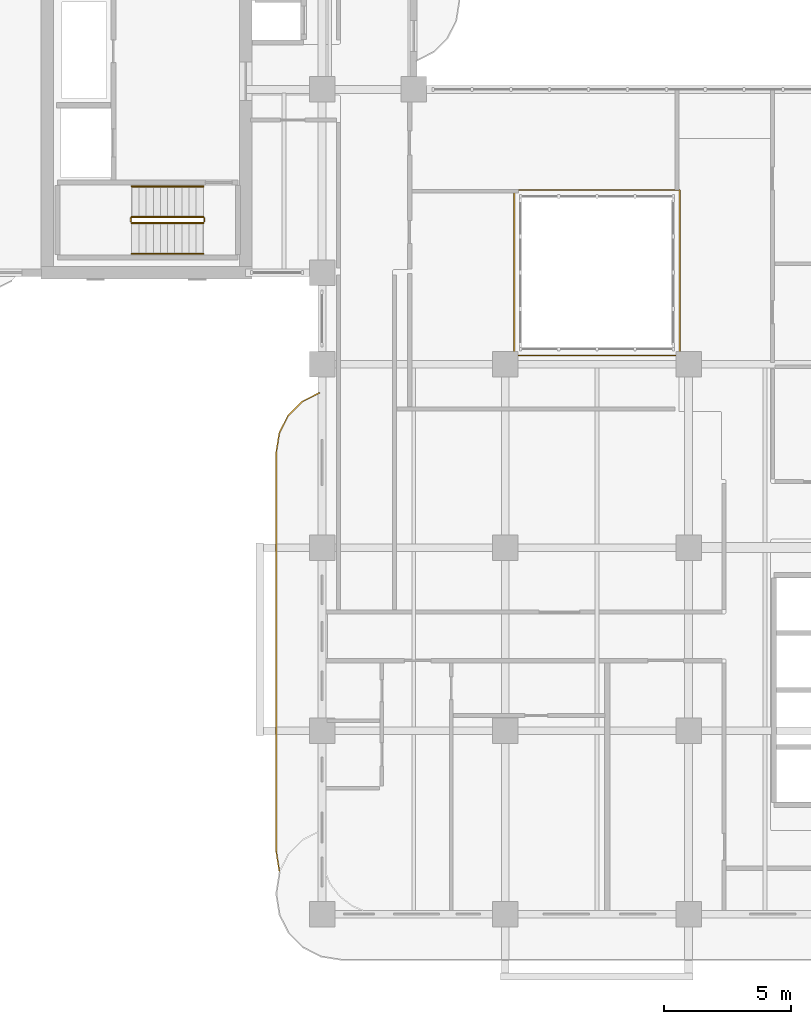
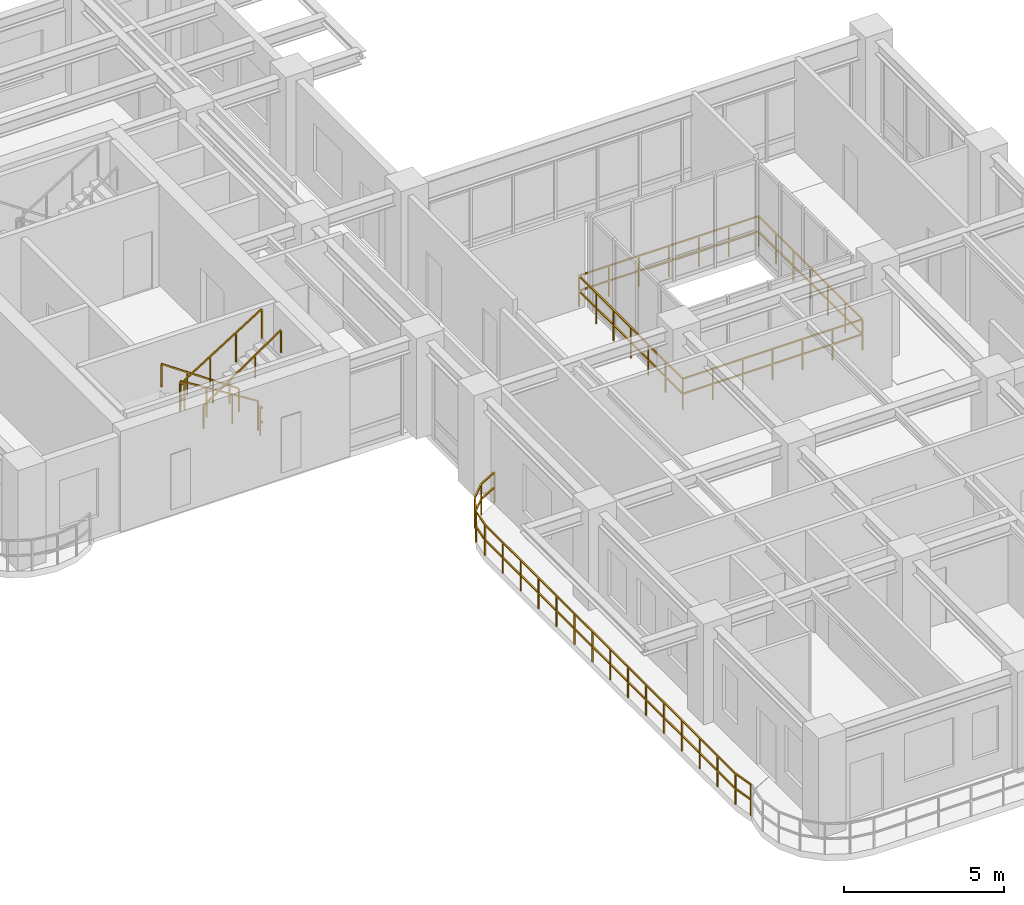
# One storey, part 16 of 19: 8 railings.
"""IFC4 building model written with IfcOpenShell, lengths in metres."""

from ifc_helpers import new_model, si_unit, derived_unit, direction, frame, origin, origin_2d, place, context, subcontext, project, spatial, rectangle, extrude, material, type_object, element, save


model = new_model("IFC4")

# Units and contexts
model_context = context("Model", 3, precision=1e-05, world=origin(), true_north=direction((0.0, 1.0)))
body_context = subcontext(model_context, "Body", "Model", "MODEL_VIEW")
ifc_project = project(units=[si_unit("LENGTHUNIT", "METRE"), si_unit("AREAUNIT", "SQUARE_METRE"), si_unit("VOLUMEUNIT", "CUBIC_METRE"), si_unit("PLANEANGLEUNIT", "RADIAN"), si_unit("MASSUNIT", "GRAM", prefix="KILO"), si_unit("THERMODYNAMICTEMPERATUREUNIT", "KELVIN"), si_unit("POWERUNIT", "WATT"), derived_unit("THERMALTRANSMITTANCEUNIT", [(si_unit("POWERUNIT", "WATT"), 1), (si_unit("AREAUNIT", "SQUARE_METRE"), -1), (si_unit("THERMODYNAMICTEMPERATUREUNIT", "KELVIN"), -1)])], contexts=[model_context])

# Site, building, storey
site_placement = place(None, origin())
site = spatial("IfcSite", under=ifc_project, at=site_placement, CompositionType="ELEMENT")
building_placement = place(site_placement, origin())
building = spatial("IfcBuilding", under=site, at=building_placement, Name="Zahravan Archway Hotel and Residences", CompositionType="ELEMENT")
storey_placement = place(building_placement, frame((0.0, 0.0, 158.0)))
storey = spatial("IfcBuildingStorey", under=building, at=storey_placement, Name="L39", CompositionType="ELEMENT", Elevation=158.0)

# Railings
ifc_material_1 = material(Name="Atrium Laminated Glass Guardrail", Category="glass")
railing_type_1 = type_object("IfcRailingType", Name="RL-ATR-1200", PredefinedType="BALUSTRADE", material=ifc_material_1)
railing_1_placement = place(storey_placement, frame((21.949951171875, 21.949951171875, 0.0)))
element("IfcRailing", 1, at=railing_1_placement, inside=storey, type_object=railing_type_1, Name="L39 Balustrade RL-ATR-L39", PredefinedType="BALUSTRADE", context=body_context, shape_type="SweptSolid", body=[
    extrude(rectangle(XDim=0.048095703125, YDim=0.048095703125, at=origin_2d()), frame((0.0, 0.0, 1.17578125), z_axis=(1.0, 0.0, 0.0), x_axis=(0.0, 1.0, 0.0)), (0.0, 0.0, 1.0), 6.5),
    extrude(rectangle(XDim=0.048095703125, YDim=0.048095703125, at=origin_2d()), frame((0.0, 0.0, 0.60009765625), z_axis=(1.0, 0.0, 0.0), x_axis=(0.0, 1.0, 0.0)), (0.0, 0.0, 1.0), 6.5),
    extrude(rectangle(XDim=0.048095703125, YDim=0.048095703125, at=origin_2d()), frame((6.5, 0.0, 1.17578125), z_axis=(0.0, 1.0, 0.0), x_axis=(-1.0, 0.0, 0.0)), (0.0, 0.0, 1.0), 6.5),
    extrude(rectangle(XDim=0.048095703125, YDim=0.048095703125, at=origin_2d()), frame((6.5, 0.0, 0.60009765625), z_axis=(0.0, 1.0, 0.0), x_axis=(-1.0, 0.0, 0.0)), (0.0, 0.0, 1.0), 6.5),
    extrude(rectangle(XDim=0.048095703125, YDim=0.048095703125, at=origin_2d()), frame((6.5, 6.5, 1.17578125), z_axis=(-1.0, 0.0, 0.0), x_axis=(0.0, -1.0, 0.0)), (0.0, 0.0, 1.0), 6.5),
    extrude(rectangle(XDim=0.048095703125, YDim=0.048095703125, at=origin_2d()), frame((6.5, 6.5, 0.60009765625), z_axis=(-1.0, 0.0, 0.0), x_axis=(0.0, -1.0, 0.0)), (0.0, 0.0, 1.0), 6.5),
    extrude(rectangle(XDim=0.048095703125, YDim=0.048095703125, at=origin_2d()), frame((0.0, 6.5, 1.17578125), z_axis=(0.0, -1.0, 0.0), x_axis=(1.0, 0.0, 0.0)), (0.0, 0.0, 1.0), 6.5),
    extrude(rectangle(XDim=0.048095703125, YDim=0.048095703125, at=origin_2d()), frame((0.0, 6.5, 0.60009765625), z_axis=(0.0, -1.0, 0.0), x_axis=(1.0, 0.0, 0.0)), (0.0, 0.0, 1.0), 6.5),
    extrude(rectangle(XDim=0.0419921875, YDim=0.0419921875, at=origin_2d()), origin(), (0.0, 0.0, 1.0), 1.15185546875),
    extrude(rectangle(XDim=0.0419921875, YDim=0.0419921875, at=origin_2d()), frame((1.083251953125, 0.0, 0.0)), (0.0, 0.0, 1.0), 1.15185546875),
    extrude(rectangle(XDim=0.0419921875, YDim=0.0419921875, at=origin_2d()), frame((2.166748046875, 0.0, 0.0)), (0.0, 0.0, 1.0), 1.15185546875),
    extrude(rectangle(XDim=0.0419921875, YDim=0.0419921875, at=origin_2d()), frame((3.25, 0.0, 0.0)), (0.0, 0.0, 1.0), 1.15185546875),
    extrude(rectangle(XDim=0.0419921875, YDim=0.0419921875, at=origin_2d()), frame((4.333251953125, 0.0, 0.0)), (0.0, 0.0, 1.0), 1.15185546875),
    extrude(rectangle(XDim=0.0419921875, YDim=0.0419921875, at=origin_2d()), frame((5.416748046875, 0.0, 0.0)), (0.0, 0.0, 1.0), 1.15185546875),
    extrude(rectangle(XDim=0.0419921875, YDim=0.0419921875, at=origin_2d()), frame((6.5, 0.0, 0.0)), (0.0, 0.0, 1.0), 1.15185546875),
    extrude(rectangle(XDim=0.0419921875, YDim=0.0419921875, at=origin_2d()), frame((6.5, 1.083251953125, 0.0)), (0.0, 0.0, 1.0), 1.15185546875),
    extrude(rectangle(XDim=0.0419921875, YDim=0.0419921875, at=origin_2d()), frame((6.5, 2.166748046875, 0.0)), (0.0, 0.0, 1.0), 1.15185546875),
    extrude(rectangle(XDim=0.0419921875, YDim=0.0419921875, at=origin_2d()), frame((6.5, 3.25, 0.0)), (0.0, 0.0, 1.0), 1.15185546875),
    extrude(rectangle(XDim=0.0419921875, YDim=0.0419921875, at=origin_2d()), frame((6.5, 4.333251953125, 0.0)), (0.0, 0.0, 1.0), 1.15185546875),
    extrude(rectangle(XDim=0.0419921875, YDim=0.0419921875, at=origin_2d()), frame((6.5, 5.416748046875, 0.0)), (0.0, 0.0, 1.0), 1.15185546875),
    extrude(rectangle(XDim=0.0419921875, YDim=0.0419921875, at=origin_2d()), frame((6.5, 6.5, 0.0)), (0.0, 0.0, 1.0), 1.15185546875),
    extrude(rectangle(XDim=0.0419921875, YDim=0.0419921875, at=origin_2d()), frame((5.416748046875, 6.5, 0.0)), (0.0, 0.0, 1.0), 1.15185546875),
    extrude(rectangle(XDim=0.0419921875, YDim=0.0419921875, at=origin_2d()), frame((4.333251953125, 6.5, 0.0)), (0.0, 0.0, 1.0), 1.15185546875),
    extrude(rectangle(XDim=0.0419921875, YDim=0.0419921875, at=origin_2d()), frame((3.25, 6.5, 0.0)), (0.0, 0.0, 1.0), 1.15185546875),
    extrude(rectangle(XDim=0.0419921875, YDim=0.0419921875, at=origin_2d()), frame((2.166748046875, 6.5, 0.0)), (0.0, 0.0, 1.0), 1.15185546875),
    extrude(rectangle(XDim=0.0419921875, YDim=0.0419921875, at=origin_2d()), frame((1.083251953125, 6.5, 0.0)), (0.0, 0.0, 1.0), 1.15185546875),
    extrude(rectangle(XDim=0.0419921875, YDim=0.0419921875, at=origin_2d()), frame((0.0, 6.5, 0.0)), (0.0, 0.0, 1.0), 1.15185546875),
    extrude(rectangle(XDim=0.0419921875, YDim=0.0419921875, at=origin_2d()), frame((0.0, 5.416748046875, 0.0)), (0.0, 0.0, 1.0), 1.15185546875),
    extrude(rectangle(XDim=0.0419921875, YDim=0.0419921875, at=origin_2d()), frame((0.0, 4.333251953125, 0.0)), (0.0, 0.0, 1.0), 1.15185546875),
    extrude(rectangle(XDim=0.0419921875, YDim=0.0419921875, at=origin_2d()), frame((0.0, 3.25, 0.0)), (0.0, 0.0, 1.0), 1.15185546875),
    extrude(rectangle(XDim=0.0419921875, YDim=0.0419921875, at=origin_2d()), frame((0.0, 2.166748046875, 0.0)), (0.0, 0.0, 1.0), 1.15185546875),
    extrude(rectangle(XDim=0.0419921875, YDim=0.0419921875, at=origin_2d()), frame((0.0, 1.083251953125, 0.0)), (0.0, 0.0, 1.0), 1.15185546875),
])
ifc_material_2 = material(Name="Bronze & Laminated Glass Balustrade", Category="glass")
railing_type_2 = type_object("IfcRailingType", Name="RL-BAL-1200", PredefinedType="BALUSTRADE", material=ifc_material_2)
railing_2_placement = place(storey_placement, frame((12.719970703125, 1.69287109375, 0.0)))
element("IfcRailing", 2, at=railing_2_placement, inside=storey, type_object=railing_type_2, Name="L39 Balustrade RL-SLB-BAL-L39-WA-1", PredefinedType="BALUSTRADE", context=body_context, shape_type="SweptSolid", body=[
    extrude(rectangle(XDim=0.048095703125, YDim=0.048095703125, at=origin_2d()), frame((0.0, 0.0, 1.17578125), z_axis=(-0.156387811283, 0.987695728695, 0.0), x_axis=(-0.987695728695, -0.156387811283, 0.0)), (0.0, 0.0, 1.0), 0.7666015625),
    extrude(rectangle(XDim=0.048095703125, YDim=0.048095703125, at=origin_2d()), frame((0.0, 0.0, 0.60009765625), z_axis=(-0.156387811283, 0.987695728695, 0.0), x_axis=(-0.987695728695, -0.156387811283, 0.0)), (0.0, 0.0, 1.0), 0.7666015625),
    extrude(rectangle(XDim=0.048095703125, YDim=0.048095703125, at=origin_2d()), frame((-0.119873046875, 0.757080078125, 1.17578125), z_axis=(0.0, 1.0, 0.0), x_axis=(-1.0, 0.0, 0.0)), (0.0, 0.0, 1.0), 15.699951171875),
    extrude(rectangle(XDim=0.048095703125, YDim=0.048095703125, at=origin_2d()), frame((-0.119873046875, 0.757080078125, 0.60009765625), z_axis=(0.0, 1.0, 0.0), x_axis=(-1.0, 0.0, 0.0)), (0.0, 0.0, 1.0), 15.699951171875),
    extrude(rectangle(XDim=0.048095703125, YDim=0.048095703125, at=origin_2d()), frame((-0.119873046875, 16.45703125, 1.17578125), z_axis=(0.156387811283, 0.987695728695, 0.0), x_axis=(-0.987695728695, 0.156387811283, 0.0)), (0.0, 0.0, 1.0), 0.7666015625),
    extrude(rectangle(XDim=0.048095703125, YDim=0.048095703125, at=origin_2d()), frame((-0.119873046875, 16.45703125, 0.60009765625), z_axis=(0.156387811283, 0.987695728695, 0.0), x_axis=(-0.987695728695, 0.156387811283, 0.0)), (0.0, 0.0, 1.0), 0.7666015625),
    extrude(rectangle(XDim=0.048095703125, YDim=0.048095703125, at=origin_2d()), frame((0.0, 17.214111328125, 1.17578125), z_axis=(0.453825591531, 0.891090529897, 0.0), x_axis=(-0.891090529897, 0.453825591531, 0.0)), (0.0, 0.0, 1.0), 0.7666015625),
    extrude(rectangle(XDim=0.048095703125, YDim=0.048095703125, at=origin_2d()), frame((0.0, 17.214111328125, 0.60009765625), z_axis=(0.453825591531, 0.891090529897, 0.0), x_axis=(-0.891090529897, 0.453825591531, 0.0)), (0.0, 0.0, 1.0), 0.7666015625),
    extrude(rectangle(XDim=0.048095703125, YDim=0.048095703125, at=origin_2d()), frame((0.347900390625, 17.897216796875, 1.17578125), z_axis=(0.707106781187, 0.707106781187, 0.0), x_axis=(-0.707106781187, 0.707106781187, 0.0)), (0.0, 0.0, 1.0), 0.7666015625),
    extrude(rectangle(XDim=0.048095703125, YDim=0.048095703125, at=origin_2d()), frame((0.347900390625, 17.897216796875, 0.60009765625), z_axis=(0.707106781187, 0.707106781187, 0.0), x_axis=(-0.707106781187, 0.707106781187, 0.0)), (0.0, 0.0, 1.0), 0.7666015625),
    extrude(rectangle(XDim=0.048095703125, YDim=0.048095703125, at=origin_2d()), frame((0.889892578125, 18.439208984375, 1.17578125), z_axis=(0.891090529897, 0.453825591531, 0.0), x_axis=(-0.453825591531, 0.891090529897, 0.0)), (0.0, 0.0, 1.0), 0.7666015625),
    extrude(rectangle(XDim=0.048095703125, YDim=0.048095703125, at=origin_2d()), frame((0.889892578125, 18.439208984375, 0.60009765625), z_axis=(0.891090529897, 0.453825591531, 0.0), x_axis=(-0.453825591531, 0.891090529897, 0.0)), (0.0, 0.0, 1.0), 0.7666015625),
    extrude(rectangle(XDim=0.0419921875, YDim=0.0419921875, at=origin_2d()), origin(), (0.0, 0.0, 1.0), 1.15185546875),
    extrude(rectangle(XDim=0.0419921875, YDim=0.0419921875, at=origin_2d()), frame((-0.119873046875, 0.757080078125, 0.0)), (0.0, 0.0, 1.0), 1.15185546875),
    extrude(rectangle(XDim=0.0419921875, YDim=0.0419921875, at=origin_2d()), frame((-0.119873046875, 1.87841796875, 0.0)), (0.0, 0.0, 1.0), 1.15185546875),
    extrude(rectangle(XDim=0.0419921875, YDim=0.0419921875, at=origin_2d()), frame((-0.119873046875, 3.0, 0.0)), (0.0, 0.0, 1.0), 1.15185546875),
    extrude(rectangle(XDim=0.0419921875, YDim=0.0419921875, at=origin_2d()), frame((-0.119873046875, 4.121337890625, 0.0)), (0.0, 0.0, 1.0), 1.15185546875),
    extrude(rectangle(XDim=0.0419921875, YDim=0.0419921875, at=origin_2d()), frame((-0.119873046875, 5.24267578125, 0.0)), (0.0, 0.0, 1.0), 1.15185546875),
    extrude(rectangle(XDim=0.0419921875, YDim=0.0419921875, at=origin_2d()), frame((-0.119873046875, 6.3642578125, 0.0)), (0.0, 0.0, 1.0), 1.15185546875),
    extrude(rectangle(XDim=0.0419921875, YDim=0.0419921875, at=origin_2d()), frame((-0.119873046875, 7.485595703125, 0.0)), (0.0, 0.0, 1.0), 1.15185546875),
    extrude(rectangle(XDim=0.0419921875, YDim=0.0419921875, at=origin_2d()), frame((-0.119873046875, 8.60693359375, 0.0)), (0.0, 0.0, 1.0), 1.15185546875),
    extrude(rectangle(XDim=0.0419921875, YDim=0.0419921875, at=origin_2d()), frame((-0.119873046875, 9.728515625, 0.0)), (0.0, 0.0, 1.0), 1.15185546875),
    extrude(rectangle(XDim=0.0419921875, YDim=0.0419921875, at=origin_2d()), frame((-0.119873046875, 10.849853515625, 0.0)), (0.0, 0.0, 1.0), 1.15185546875),
    extrude(rectangle(XDim=0.0419921875, YDim=0.0419921875, at=origin_2d()), frame((-0.119873046875, 11.971435546875, 0.0)), (0.0, 0.0, 1.0), 1.15185546875),
    extrude(rectangle(XDim=0.0419921875, YDim=0.0419921875, at=origin_2d()), frame((-0.119873046875, 13.0927734375, 0.0)), (0.0, 0.0, 1.0), 1.15185546875),
    extrude(rectangle(XDim=0.0419921875, YDim=0.0419921875, at=origin_2d()), frame((-0.119873046875, 14.214111328125, 0.0)), (0.0, 0.0, 1.0), 1.15185546875),
    extrude(rectangle(XDim=0.0419921875, YDim=0.0419921875, at=origin_2d()), frame((-0.119873046875, 15.335693359375, 0.0)), (0.0, 0.0, 1.0), 1.15185546875),
    extrude(rectangle(XDim=0.0419921875, YDim=0.0419921875, at=origin_2d()), frame((-0.119873046875, 16.45703125, 0.0)), (0.0, 0.0, 1.0), 1.15185546875),
    extrude(rectangle(XDim=0.0419921875, YDim=0.0419921875, at=origin_2d()), frame((0.0, 17.214111328125, 0.0)), (0.0, 0.0, 1.0), 1.15185546875),
    extrude(rectangle(XDim=0.0419921875, YDim=0.0419921875, at=origin_2d()), frame((0.347900390625, 17.897216796875, 0.0)), (0.0, 0.0, 1.0), 1.15185546875),
    extrude(rectangle(XDim=0.0419921875, YDim=0.0419921875, at=origin_2d()), frame((0.889892578125, 18.439208984375, 0.0)), (0.0, 0.0, 1.0), 1.15185546875),
    extrude(rectangle(XDim=0.0419921875, YDim=0.0419921875, at=origin_2d()), frame((1.572998046875, 18.787109375, 0.0)), (0.0, 0.0, 1.0), 1.15185546875),
])
ifc_material_3 = material(Name="Painted Tubular Steel", Category="steel")
railing_type_3 = type_object("IfcRailingType", Name="RL-STG-1150", PredefinedType="GUARDRAIL", material=ifc_material_3)
railing_3_placement = place(storey_placement, frame((9.72998046875, 27.389892578125, 0.175048828125)))
element("IfcRailing", 3, at=railing_3_placement, inside=storey, type_object=railing_type_3, Name="L39 ST-B1 stair guard 1", PredefinedType="GUARDRAIL", context=body_context, shape_type="SweptSolid", body=[
    extrude(rectangle(XDim=0.048095703125, YDim=0.048095703125, at=origin_2d()), frame((0.0, 0.0, 1.1259765625), z_axis=(-0.848002457836, 0.0, 0.529992293815), x_axis=(0.0, -1.0, 0.0)), (0.0, 0.0, 1.0), 3.302001953125),
    extrude(rectangle(XDim=0.0419921875, YDim=0.0419921875, at=origin_2d()), origin(), (0.0, 0.0, 1.0), 1.101806640625),
    extrude(rectangle(XDim=0.0419921875, YDim=0.0419921875, at=origin_2d()), frame((-0.933349609375, 0.0, 0.583251953125)), (0.0, 0.0, 1.0), 1.101806640625),
    extrude(rectangle(XDim=0.0419921875, YDim=0.0419921875, at=origin_2d()), frame((-1.86669921875, 0.0, 1.166748046875)), (0.0, 0.0, 1.0), 1.101806640625),
    extrude(rectangle(XDim=0.0419921875, YDim=0.0419921875, at=origin_2d()), frame((-2.800048828125, 0.0, 1.75)), (0.0, 0.0, 1.0), 1.101806640625),
])
railing_4_placement = place(storey_placement, frame((6.8798828125, 27.340087890625, 1.925048828125)))
element("IfcRailing", 4, at=railing_4_placement, inside=storey, type_object=railing_type_3, Name="L39 ST-B1 stair guard 2", PredefinedType="GUARDRAIL", context=body_context, shape_type="SweptSolid", body=[
    extrude(rectangle(XDim=0.048095703125, YDim=0.048095703125, at=origin_2d()), frame((0.0, 0.0, 1.1259765625), z_axis=(0.0, -1.0, 0.0), x_axis=(1.0, 0.0, 0.0)), (0.0, 0.0, 1.0), 0.14013671875),
    extrude(rectangle(XDim=0.048095703125, YDim=0.048095703125, at=origin_2d()), frame((0.0, 0.0, 0.574951171875), z_axis=(0.0, -1.0, 0.0), x_axis=(1.0, 0.0, 0.0)), (0.0, 0.0, 1.0), 0.14013671875),
    extrude(rectangle(XDim=0.0419921875, YDim=0.0419921875, at=origin_2d()), origin(), (0.0, 0.0, 1.0), 1.101806640625),
])
railing_5_placement = place(storey_placement, frame((6.929931640625, 27.14990234375, 2.10009765625)))
element("IfcRailing", 5, at=railing_5_placement, inside=storey, type_object=railing_type_3, Name="L39 ST-B1 stair guard 3", PredefinedType="GUARDRAIL", context=body_context, shape_type="SweptSolid", body=[
    extrude(rectangle(XDim=0.048095703125, YDim=0.048095703125, at=origin_2d()), frame((0.0, 0.0, 1.1259765625), z_axis=(0.848002457836, 0.0, 0.529992293815), x_axis=(0.0, 1.0, 0.0)), (0.0, 0.0, 1.0), 3.302001953125),
    extrude(rectangle(XDim=0.0419921875, YDim=0.0419921875, at=origin_2d()), origin(), (0.0, 0.0, 1.0), 1.101806640625),
    extrude(rectangle(XDim=0.0419921875, YDim=0.0419921875, at=origin_2d()), frame((0.933349609375, 0.0, 0.583251953125)), (0.0, 0.0, 1.0), 1.101806640625),
    extrude(rectangle(XDim=0.0419921875, YDim=0.0419921875, at=origin_2d()), frame((1.86669921875, 0.0, 1.166748046875)), (0.0, 0.0, 1.0), 1.101806640625),
    extrude(rectangle(XDim=0.0419921875, YDim=0.0419921875, at=origin_2d()), frame((2.800048828125, 0.0, 1.75)), (0.0, 0.0, 1.0), 1.101806640625),
])
railing_6_placement = place(storey_placement, frame((9.780029296875, 27.340087890625, 0.0)))
element("IfcRailing", 6, at=railing_6_placement, inside=storey, type_object=railing_type_3, Name="L39 ST-B1 stair guard 4", PredefinedType="GUARDRAIL", context=body_context, shape_type="SweptSolid", body=[
    extrude(rectangle(XDim=0.048095703125, YDim=0.048095703125, at=origin_2d()), frame((0.0, 0.0, 1.1259765625), z_axis=(0.0, -1.0, 0.0), x_axis=(1.0, 0.0, 0.0)), (0.0, 0.0, 1.0), 0.14013671875),
    extrude(rectangle(XDim=0.048095703125, YDim=0.048095703125, at=origin_2d()), frame((0.0, 0.0, 0.574951171875), z_axis=(0.0, -1.0, 0.0), x_axis=(1.0, 0.0, 0.0)), (0.0, 0.0, 1.0), 0.14013671875),
    extrude(rectangle(XDim=0.0419921875, YDim=0.0419921875, at=origin_2d()), origin(), (0.0, 0.0, 1.0), 1.101806640625),
])
ifc_material_4 = material(Name="Brushed Stainless Steel", Category="steel")
railing_type_4 = type_object("IfcRailingType", Name="RL-STH-900", PredefinedType="HANDRAIL", material=ifc_material_4)
railing_7_placement = place(storey_placement, frame((9.72998046875, 28.590087890625, 0.175048828125)))
element("IfcRailing", 7, at=railing_7_placement, inside=storey, type_object=railing_type_4, Name="L39 ST-B1 stair handrail 1", PredefinedType="HANDRAIL", context=body_context, shape_type="SweptSolid", body=[
    extrude(rectangle(XDim=0.048095703125, YDim=0.048095703125, at=origin_2d()), frame((0.0, 0.0, 0.8759765625), z_axis=(-0.824039827795, 0.0, 0.566531872191), x_axis=(0.0, -1.0, 0.0)), (0.0, 0.0, 1.0), 3.39794921875),
    extrude(rectangle(XDim=0.0419921875, YDim=0.0419921875, at=origin_2d()), origin(), (0.0, 0.0, 1.0), 0.851806640625),
    extrude(rectangle(XDim=0.0419921875, YDim=0.0419921875, at=origin_2d()), frame((-0.933349609375, 0.0, 0.6416015625)), (0.0, 0.0, 1.0), 0.851806640625),
    extrude(rectangle(XDim=0.0419921875, YDim=0.0419921875, at=origin_2d()), frame((-1.86669921875, 0.0, 1.283447265625)), (0.0, 0.0, 1.0), 0.851806640625),
    extrude(rectangle(XDim=0.0419921875, YDim=0.0419921875, at=origin_2d()), frame((-2.800048828125, 0.0, 1.925048828125)), (0.0, 0.0, 1.0), 0.851806640625),
])
railing_8_placement = place(storey_placement, frame((6.929931640625, 25.949951171875, 2.10009765625)))
element("IfcRailing", 8, at=railing_8_placement, inside=storey, type_object=railing_type_4, Name="L39 ST-B1 stair handrail 2", PredefinedType="HANDRAIL", context=body_context, shape_type="SweptSolid", body=[
    extrude(rectangle(XDim=0.048095703125, YDim=0.048095703125, at=origin_2d()), frame((0.0, 0.0, 0.8759765625), z_axis=(0.824073370198, 0.0, 0.566483080534), x_axis=(0.0, 1.0, 0.0)), (0.0, 0.0, 1.0), 3.397705078125),
    extrude(rectangle(XDim=0.0419921875, YDim=0.0419921875, at=origin_2d()), origin(), (0.0, 0.0, 1.0), 0.851806640625),
    extrude(rectangle(XDim=0.0419921875, YDim=0.0419921875, at=origin_2d()), frame((0.933349609375, 0.0, 0.6416015625)), (0.0, 0.0, 1.0), 0.851806640625),
    extrude(rectangle(XDim=0.0419921875, YDim=0.0419921875, at=origin_2d()), frame((1.86669921875, 0.0, 1.283203125)), (0.0, 0.0, 1.0), 0.851806640625),
    extrude(rectangle(XDim=0.0419921875, YDim=0.0419921875, at=origin_2d()), frame((2.800048828125, 0.0, 1.9248046875)), (0.0, 0.0, 1.0), 0.851806640625),
])

save(model, "model.ifc")
